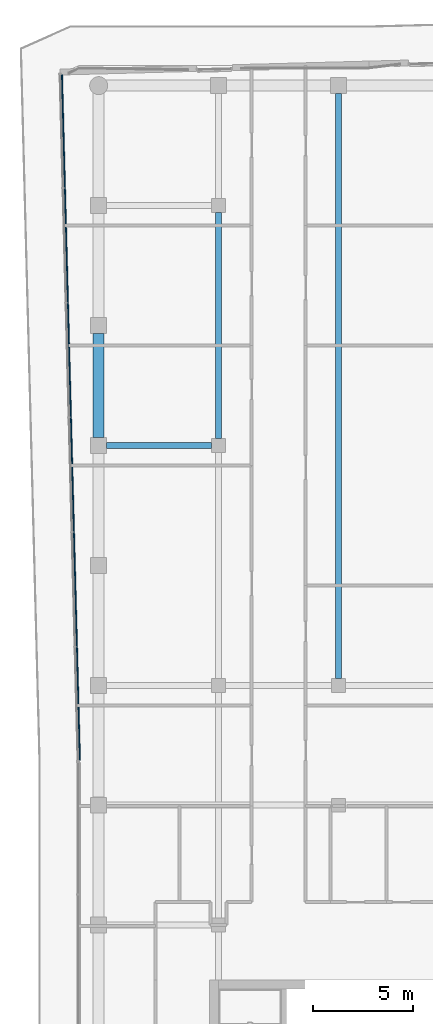
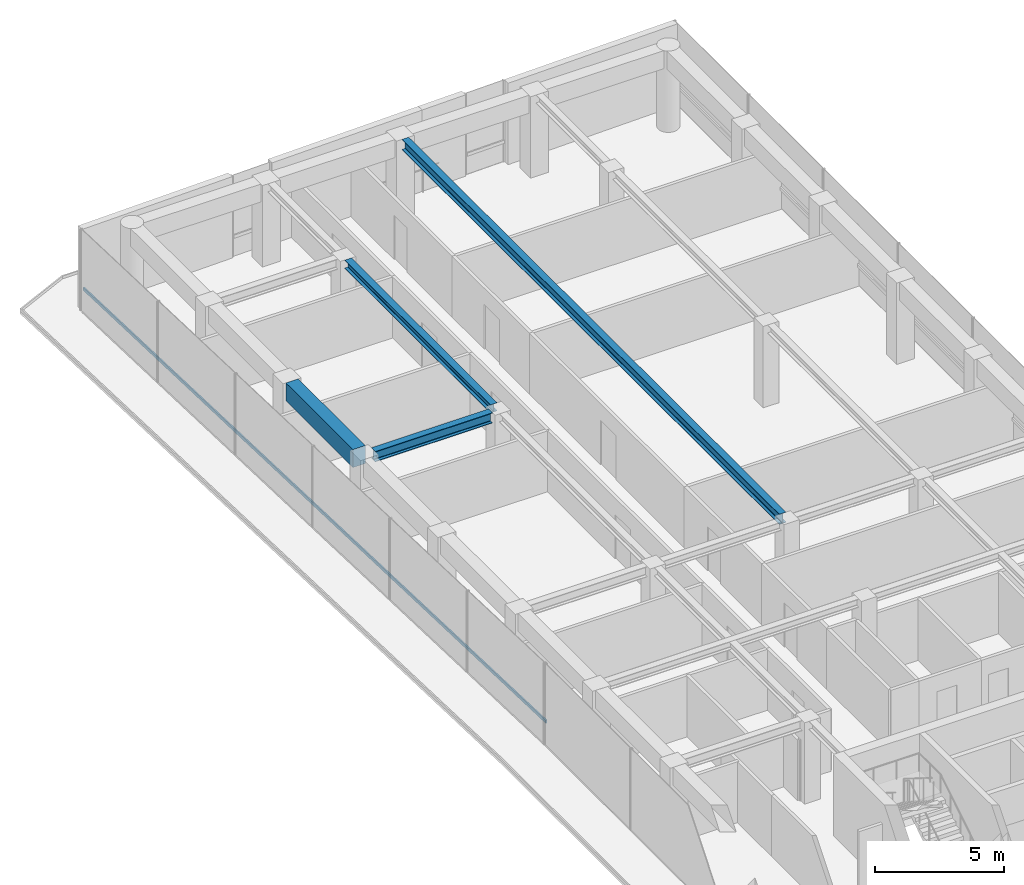
# One storey, part 10 of 20: 4 beams, 1 member, 1 element without a shape of its own.
"""IFC4 building model written with IfcOpenShell, lengths in metres."""

from ifc_helpers import new_model, si_unit, direction, frame, origin, origin_2d, place, context, subcontext, project, spatial, rectangle, i_section, extrude, material, layer, layer_set, material_profile, profile_set, type_object, element, aggregate, save


model = new_model("IFC4")

# Units and contexts
model_context = context("Model", 3, precision=1e-05, world=origin(), true_north=direction((0.0, 1.0)))
body_context = subcontext(model_context, "Body", "Model", "MODEL_VIEW")
ifc_project = project(units=[si_unit("LENGTHUNIT", "METRE"), si_unit("AREAUNIT", "SQUARE_METRE"), si_unit("VOLUMEUNIT", "CUBIC_METRE"), si_unit("PLANEANGLEUNIT", "RADIAN"), si_unit("MASSUNIT", "GRAM", prefix="KILO")], contexts=[model_context])

# Site, building, storey
site_placement = place(None, origin())
site = spatial("IfcSite", under=ifc_project, at=site_placement, CompositionType="ELEMENT")
building_placement = place(site_placement, origin())
building = spatial("IfcBuilding", under=site, at=building_placement, Name="Welwitschia Terrace Campus", CompositionType="ELEMENT")
storey_placement = place(building_placement, frame((0.0, 0.0, 222.199951171875)))
storey = spatial("IfcBuildingStorey", under=building, at=storey_placement, Name="L49", CompositionType="ELEMENT", Elevation=222.199951171875)

# Beams
ifc_material_1 = material(Name="Steel S355", Category="steel")
ifc_material_profile_1 = material_profile(ifc_material_1, i_section(OverallWidth=0.300048828125, OverallDepth=0.389892578125, WebThickness=0.010986328125, FlangeThickness=0.01904296875, FilletRadius=0.027099609375, at=origin_2d()))
ifc_profile_set_1 = profile_set([ifc_material_profile_1], Name="Steel S355")
beam_type_1 = type_object("IfcBeamType", Name="Interior girder HE 400 A", PredefinedType="BEAM", material=ifc_profile_set_1)
beam_1_placement = place(storey_placement, frame((6.0, 52.3505859375, 3.655029296875), z_axis=(0.0, 1.0, 0.0), x_axis=(-1.0, 0.0, 0.0)))
element("IfcBeam", 1, at=beam_1_placement, inside=storey, type_object=beam_type_1, Name="Girder GB5", PredefinedType="BEAM", context=body_context, shape_type="SweptSolid", body=[
    extrude(i_section(OverallWidth=0.300048828125, OverallDepth=0.389892578125, WebThickness=0.010986328125, FlangeThickness=0.01904296875, FilletRadius=0.027099609375, at=origin_2d()), origin(), (0.0, 0.0, 1.0), 11.298828125),
])
ifc_material_2 = material(Name="Steel S355", Category="steel")
ifc_material_profile_2 = material_profile(ifc_material_2, i_section(OverallWidth=0.300048828125, OverallDepth=0.489990234375, WebThickness=0.011962890625, FlangeThickness=0.02294921875, FilletRadius=0.027099609375, at=origin_2d()))
ifc_profile_set_2 = profile_set([ifc_material_profile_2], Name="Steel S355")
beam_type_2 = type_object("IfcBeamType", Name="Primary beam HE 500 A", PredefinedType="BEAM", material=ifc_profile_set_2)
beam_2_placement = place(storey_placement, frame((12.0, 69.599609375, 3.60498046875), z_axis=(0.0, -1.0, 0.0), x_axis=(1.0, 0.0, 0.0)))
element("IfcBeam", 2, at=beam_2_placement, inside=storey, type_object=beam_type_2, Name="Primary beam PB5", PredefinedType="BEAM", context=body_context, shape_type="SweptSolid", body=[
    extrude(i_section(OverallWidth=0.300048828125, OverallDepth=0.489990234375, WebThickness=0.011962890625, FlangeThickness=0.02294921875, FilletRadius=0.027099609375, at=origin_2d()), origin(), (0.0, 0.0, 1.0), 29.2490234375),
])
beam_3_placement = place(storey_placement, frame((0.400390625, 52.0, 3.60498046875), z_axis=(1.0, 0.0, 0.0), x_axis=(0.0, 1.0, 0.0)))
element("IfcBeam", 3, at=beam_3_placement, inside=storey, type_object=beam_type_2, Name="Primary beam PB5", PredefinedType="BEAM", context=body_context, shape_type="SweptSolid", body=[
    extrude(i_section(OverallWidth=0.300048828125, OverallDepth=0.489990234375, WebThickness=0.011962890625, FlangeThickness=0.02294921875, FilletRadius=0.027099609375, at=origin_2d()), origin(), (0.0, 0.0, 1.0), 5.2490234375),
])
ifc_material_3 = material(Name="Concrete C50/60", Category="concrete")
ifc_material_profile_3 = material_profile(ifc_material_3, rectangle(XDim=0.550048828125, YDim=0.85009765625, at=origin_2d()))
ifc_profile_set_3 = profile_set([ifc_material_profile_3], Name="Concrete C50/60")
beam_type_3 = type_object("IfcBeamType", Name="Ring spandrel 550x850", PredefinedType="SPANDREL", material=ifc_profile_set_3)
beam_4_placement = place(storey_placement, frame((0.0, 57.599609375, 3.425048828125), z_axis=(0.0, -1.0, 0.0), x_axis=(1.0, 0.0, 0.0)))
element("IfcBeam", 4, at=beam_4_placement, inside=storey, type_object=beam_type_3, Name="Spandrel SP3", PredefinedType="SPANDREL", context=body_context, shape_type="SweptSolid", body=[
    extrude(rectangle(XDim=0.550048828125, YDim=0.85009765625, at=origin_2d()), origin(), (0.0, 0.0, 1.0), 5.19921875),
])

# Curtain wall, member
ifc_material_4 = material(Name="Bronze anodised aluminium", Category="aluminium")
ifc_layer = layer(ifc_material_4, 0.1201171875)
ifc_layer_set = layer_set([ifc_layer], Name="Bronze anodised aluminium")
curtain_wall_type = type_object("IfcCurtainWallType", Name="Curtain wall CW2 tower 6000", PredefinedType="NOTDEFINED", material=ifc_layer_set)
curtain_wall_placement = place(storey_placement, origin())
curtain_wall = element("IfcCurtainWall", 5, at=curtain_wall_placement, inside=storey, type_object=curtain_wall_type, Name="CW L49.11.0", PredefinedType="NOTDEFINED")
ifc_material_5 = material(Name="Bronze anodised aluminium", Category="aluminium")
ifc_material_profile_4 = material_profile(ifc_material_5, rectangle(XDim=0.06005859375, YDim=0.14990234375, at=origin_2d()))
ifc_profile_set_4 = profile_set([ifc_material_profile_4], Name="Bronze anodised aluminium")
member_type = type_object("IfcMemberType", Name="Transom 60x150", PredefinedType="USERDEFINED", material=ifc_profile_set_4)
member_placement = place(storey_placement, frame((-1.83984375, 70.557861328125, 1.0), z_axis=(0.026174591665, -0.999657386684, 0.0), x_axis=(0.999657386684, 0.026174591665, 0.0)))
member = element("IfcMember", 6, at=member_placement, type_object=member_type, Name="Transom L49.11.0", ObjectType="TRANSOM", PredefinedType="USERDEFINED", context=body_context, shape_type="SweptSolid", body=[
    extrude(rectangle(XDim=0.06005859375, YDim=0.14990234375, at=origin_2d()), origin(), (0.0, 0.0, 1.0), 34.3154296875),
])
aggregate(curtain_wall, [member])

save(model, "model.ifc")
